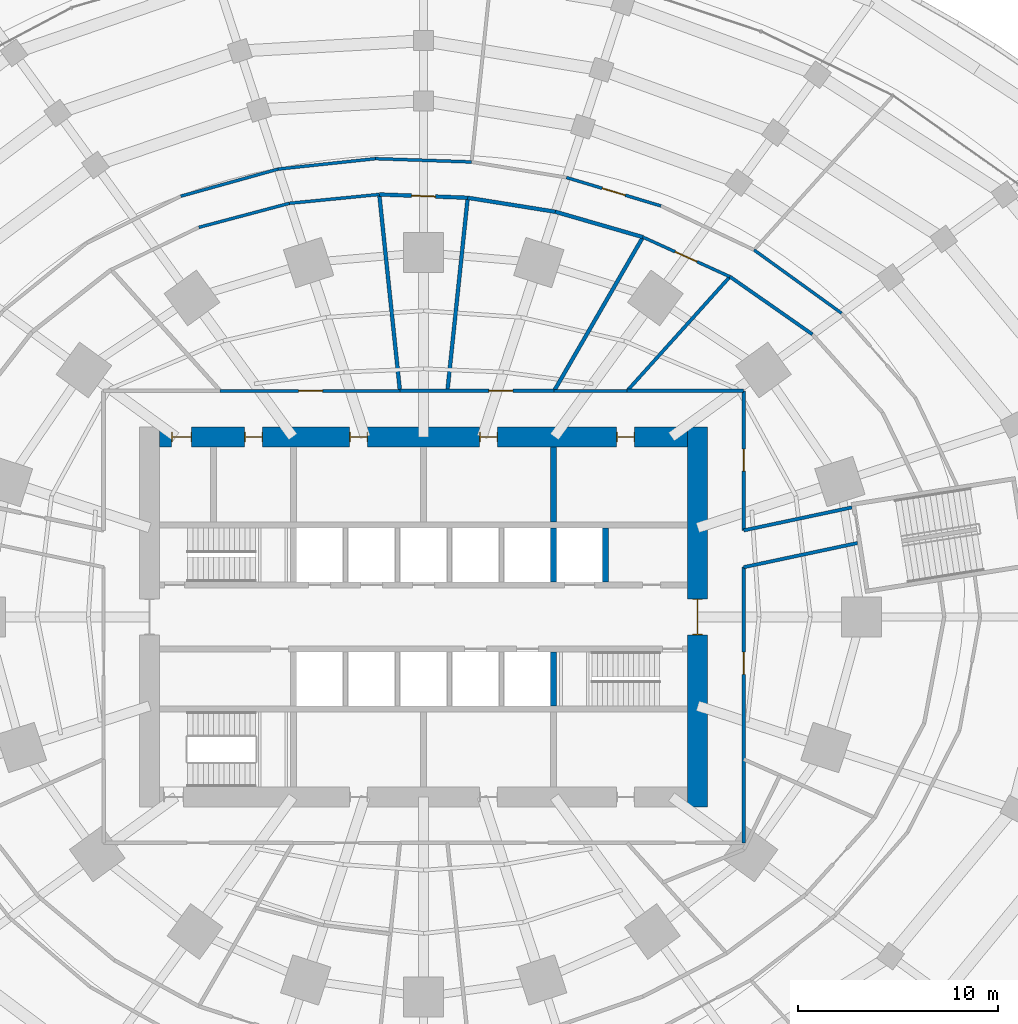
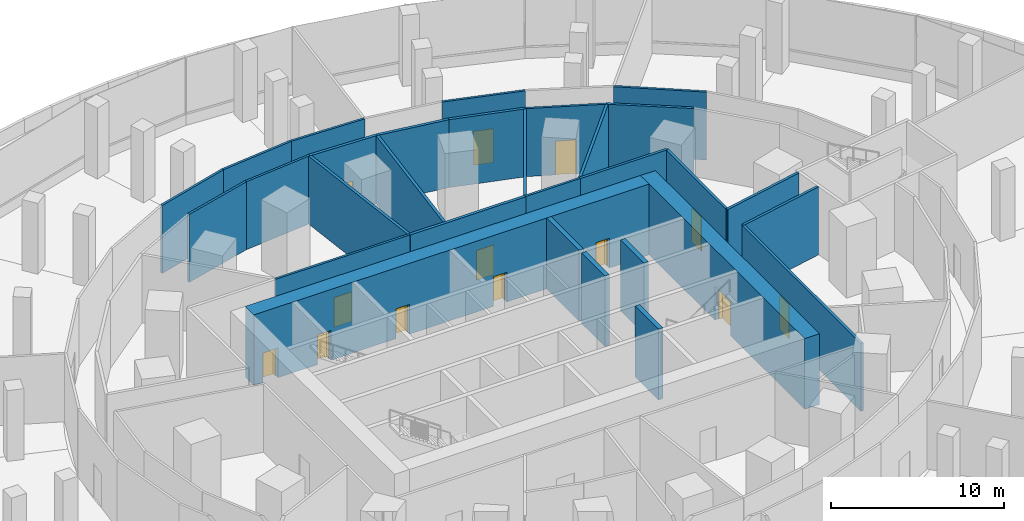
# One storey, part 25 of 31: 30 walls, 13 doors, 13 openings.
"""IFC4 building model written with IfcOpenShell, lengths in metres."""

from ifc_helpers import new_model, si_unit, direction, frame, frame_2d, origin, place, context, subcontext, project, spatial, rectangle, extrude, material, layer, layer_set, type_object, element, fill, save


model = new_model("IFC4")

# Units and contexts
model_context = context("Model", 3, precision=1e-05, world=origin(), true_north=direction((0.0, 1.0)))
body_context = subcontext(model_context, "Body", "Model", "MODEL_VIEW")
ifc_project = project(units=[si_unit("LENGTHUNIT", "METRE"), si_unit("AREAUNIT", "SQUARE_METRE"), si_unit("VOLUMEUNIT", "CUBIC_METRE"), si_unit("PLANEANGLEUNIT", "RADIAN"), si_unit("MASSUNIT", "GRAM", prefix="KILO")], contexts=[model_context])

# Site, building, storey
site_placement = place(None, origin())
site = spatial("IfcSite", under=ifc_project, at=site_placement, CompositionType="ELEMENT")
building_placement = place(site_placement, origin())
building = spatial("IfcBuilding", under=site, at=building_placement, Name="Marramba Exchange Tower", CompositionType="ELEMENT")
storey_placement = place(building_placement, frame((0.0, 0.0, 5.60009765625)))
storey = spatial("IfcBuildingStorey", under=building, at=storey_placement, Name="L01", CompositionType="ELEMENT", Elevation=5.60009765625)

# Wall, opening, door
ifc_material_1 = material(Name="Plasterboard on staggered double steel studs, acoustic insulation", Category="steel")
ifc_layer_1 = layer(ifc_material_1, 0.169921875)
ifc_layer_set_1 = layer_set([ifc_layer_1], Name="Acoustic partition 170")
wall_type_1 = type_object("IfcWallType", Name="Acoustic partition 170", PredefinedType="PARTITIONING", material=ifc_layer_set_1)
wall_1_placement = place(storey_placement, frame((16.0, -11.300048828125, 0.0), z_axis=(0.0, 0.0, 1.0), x_axis=(0.0, 1.0, 0.0)))
wall_1 = element("IfcWall", 1, at=wall_1_placement, inside=storey, type_object=wall_type_1, Name="Acoustic partition L01 48", PredefinedType="PARTITIONING", context=body_context, shape_type="SweptSolid", body=[
    extrude(rectangle(XDim=13.78076171875, YDim=0.169921875, at=frame_2d((6.890380859375, 0.0))), origin(), (0.0, 0.0, 1.0), 4.7998046875),
])
opening_1_placement = place(wall_1_placement, frame((8.428955078125, 0.0, 0.0)))
opening_1 = element("IfcOpeningElement", 2, at=opening_1_placement, cuts=wall_1, Name="Opening D15", PredefinedType="OPENING", context=body_context, shape_type="SweptSolid", body=[
    extrude(rectangle(XDim=1.10009765625, YDim=2.39990234375, at=frame_2d((0.550048828125, 1.199951171875))), frame((0.0, 0.094970703125, 0.0), z_axis=(0.0, -1.0, 0.0), x_axis=(1.0, 0.0, 0.0)), (0.0, 0.0, 1.0), 0.18994140625),
])
ifc_material_2 = material(Name="Timber door", Category="wood")
door_type_1 = type_object("IfcDoorType", Name="Glazed meeting room door 1100x2400", OperationType="SINGLE_SWING_LEFT", PredefinedType="DOOR", material=ifc_material_2)
door_1_placement = place(opening_1_placement, origin())
door_1 = element("IfcDoor", 3, at=door_1_placement, inside=storey, type_object=door_type_1, Name="D15 Meeting Room 4 L01", OperationType="SINGLE_SWING_LEFT", OverallHeight=2.39990234375, OverallWidth=1.10009765625, PredefinedType="DOOR", context=body_context, shape_type="SweptSolid", body=[
    extrude(rectangle(XDim=1.10009765625, YDim=2.39990234375, at=frame_2d((0.550048828125, 1.199951171875))), frame((0.0, 0.02490234375, 0.0), z_axis=(0.0, -1.0, 0.0), x_axis=(1.0, 0.0, 0.0)), (0.0, 0.0, 1.0), 0.050048828125),
])
fill(opening_1, door_1)

# Walls
wall_2_placement = place(storey_placement, frame((16.0, 2.480712890625, 0.0), z_axis=(0.0, 0.0, 1.0), x_axis=(0.978144448143, 0.207926522038, 0.0)))
element("IfcWall", 4, at=wall_2_placement, inside=storey, type_object=wall_type_1, Name="Acoustic partition L01 53", PredefinedType="PARTITIONING", context=body_context, shape_type="SweptSolid", body=[
    extrude(rectangle(XDim=5.81689453125, YDim=0.169921875, at=frame_2d((2.908447265625, 0.0))), origin(), (0.0, 0.0, 1.0), 4.7998046875),
])
wall_3_placement = place(storey_placement, frame((21.40771484375, 5.470458984375, 0.0), z_axis=(0.0, 0.0, 1.0), x_axis=(-0.978148748832, -0.207906289368, 0.0)))
element("IfcWall", 5, at=wall_3_placement, inside=storey, type_object=wall_type_1, Name="Acoustic partition L01 55", PredefinedType="PARTITIONING", context=body_context, shape_type="SweptSolid", body=[
    extrude(rectangle(XDim=5.528564453125, YDim=0.169921875, at=frame_2d((2.76416015625, 0.0))), origin(), (0.0, 0.0, 1.0), 4.7998046875),
])

# Wall, opening, door
wall_4_placement = place(storey_placement, frame((16.0, 4.321044921875, 0.0), z_axis=(0.0, 0.0, 1.0), x_axis=(0.0, 1.0, 0.0)))
wall_4 = element("IfcWall", 6, at=wall_4_placement, inside=storey, type_object=wall_type_1, Name="Acoustic partition L01 58", PredefinedType="PARTITIONING", context=body_context, shape_type="SweptSolid", body=[
    extrude(rectangle(XDim=6.97900390625, YDim=0.169921875, at=frame_2d((3.489501953125, 0.0))), origin(), (0.0, 0.0, 1.0), 4.7998046875),
])
opening_2_placement = place(wall_4_placement, frame((2.965087890625, 0.0, 0.0)))
opening_2 = element("IfcOpeningElement", 7, at=opening_2_placement, cuts=wall_4, Name="Opening D15", PredefinedType="OPENING", context=body_context, shape_type="SweptSolid", body=[
    extrude(rectangle(XDim=1.10009765625, YDim=2.39990234375, at=frame_2d((0.550048828125, 1.199951171875))), frame((0.0, 0.094970703125, 0.0), z_axis=(0.0, -1.0, 0.0), x_axis=(1.0, 0.0, 0.0)), (0.0, 0.0, 1.0), 0.18994140625),
])
door_2_placement = place(opening_2_placement, origin())
door_2 = element("IfcDoor", 8, at=door_2_placement, inside=storey, type_object=door_type_1, Name="D15 Meeting Room 1 L01", OperationType="SINGLE_SWING_RIGHT", OverallHeight=2.39990234375, OverallWidth=1.10009765625, PredefinedType="DOOR", context=body_context, shape_type="SweptSolid", body=[
    extrude(rectangle(XDim=1.10009765625, YDim=2.39990234375, at=frame_2d((0.550048828125, 1.199951171875))), frame((0.0, 0.02490234375, 0.0), z_axis=(0.0, -1.0, 0.0), x_axis=(1.0, 0.0, 0.0)), (0.0, 0.0, 1.0), 0.050048828125),
])
fill(opening_2, door_2)

# Walls
wall_5_placement = place(storey_placement, frame((16.0, 11.300048828125, 0.0), z_axis=(0.0, 0.0, 1.0), x_axis=(-1.0, 0.0, 0.0)))
element("IfcWall", 9, at=wall_5_placement, inside=storey, type_object=wall_type_1, Name="Acoustic partition L01 61", PredefinedType="PARTITIONING", context=body_context, shape_type="SweptSolid", body=[
    extrude(rectangle(XDim=5.825439453125, YDim=0.169921875, at=frame_2d((2.91259765625, 0.0))), origin(), (0.0, 0.0, 1.0), 4.7998046875),
])
wall_6_placement = place(storey_placement, frame((15.310546875, 17.004150390625, 0.0), z_axis=(0.0, 0.0, 1.0), x_axis=(0.819662413359, -0.572846862719, 0.0)))
element("IfcWall", 10, at=wall_6_placement, inside=storey, type_object=wall_type_1, Name="Acoustic partition L01 62", PredefinedType="PARTITIONING", context=body_context, shape_type="SweptSolid", body=[
    extrude(rectangle(XDim=5.032958984375, YDim=0.169921875, at=frame_2d((2.5166015625, 0.0))), origin(), (0.0, 0.0, 1.0), 4.7998046875),
])
wall_7_placement = place(storey_placement, frame((10.174560546875, 11.300048828125, 0.0), z_axis=(0.0, 0.0, 1.0), x_axis=(0.669129902119, 0.743145459577, 0.0)))
element("IfcWall", 11, at=wall_7_placement, inside=storey, type_object=wall_type_1, Name="Acoustic partition L01 65", PredefinedType="PARTITIONING", context=body_context, shape_type="SweptSolid", body=[
    extrude(rectangle(XDim=7.675537109375, YDim=0.169921875, at=frame_2d((3.837890625, 0.0))), origin(), (0.0, 0.0, 1.0), 4.7998046875),
])

# Wall, openings, doors
ifc_material_3 = material(Name="Concrete N50", Category="concrete")
ifc_layer_2 = layer(ifc_material_3, 1.0)
ifc_layer_set_2 = layer_set([ifc_layer_2], Name="Core wall 1000")
wall_type_2 = type_object("IfcWallType", Name="Core wall 1000", PredefinedType="SHEAR", material=ifc_layer_set_2)
wall_8_placement = place(storey_placement, frame((13.199951171875, 9.0, 0.0), z_axis=(0.0, 0.0, 1.0), x_axis=(-1.0, 0.0, 0.0)))
wall_8 = element("IfcWall", 12, at=wall_8_placement, inside=storey, type_object=wall_type_2, Name="Core wall N L01", PredefinedType="SHEAR", context=body_context, shape_type="SweptSolid", body=[
    extrude(rectangle(XDim=26.39990234375, YDim=1.0, at=frame_2d((13.199951171875, 0.0))), origin(), (0.0, 0.0, 1.0), 5.0),
])
opening_3_placement = place(wall_8_placement, frame((2.64990234375, 0.0, 0.0)))
opening_3 = element("IfcOpeningElement", 13, at=opening_3_placement, cuts=wall_8, Name="Opening D5", PredefinedType="OPENING", context=body_context, shape_type="SweptSolid", body=[
    extrude(rectangle(XDim=0.89990234375, YDim=2.10009765625, at=frame_2d((0.449951171875, 1.050048828125))), frame((0.0, 0.510009765625, 0.0), z_axis=(0.0, -1.0, 0.0), x_axis=(1.0, 0.0, 0.0)), (0.0, 0.0, 1.0), 1.02001953125),
])
opening_4_placement = place(wall_8_placement, frame((9.5, 0.0, 0.0)))
opening_4 = element("IfcOpeningElement", 14, at=opening_4_placement, cuts=wall_8, Name="Opening D3", PredefinedType="OPENING", context=body_context, shape_type="SweptSolid", body=[
    extrude(rectangle(XDim=0.89990234375, YDim=2.10009765625, at=frame_2d((0.449951171875, 1.050048828125))), frame((0.0, 0.510009765625, 0.0), z_axis=(0.0, -1.0, 0.0), x_axis=(1.0, 0.0, 0.0)), (0.0, 0.0, 1.0), 1.02001953125),
])
opening_5_placement = place(wall_8_placement, frame((16.0, 0.0, 0.0)))
opening_5 = element("IfcOpeningElement", 15, at=opening_5_placement, cuts=wall_8, Name="Opening D3", PredefinedType="OPENING", context=body_context, shape_type="SweptSolid", body=[
    extrude(rectangle(XDim=0.89990234375, YDim=2.10009765625, at=frame_2d((0.449951171875, 1.050048828125))), frame((0.0, 0.510009765625, 0.0), z_axis=(0.0, -1.0, 0.0), x_axis=(1.0, 0.0, 0.0)), (0.0, 0.0, 1.0), 1.02001953125),
])
opening_6_placement = place(wall_8_placement, frame((21.25, 0.0, 0.0)))
opening_6 = element("IfcOpeningElement", 16, at=opening_6_placement, cuts=wall_8, Name="Opening D5", PredefinedType="OPENING", context=body_context, shape_type="SweptSolid", body=[
    extrude(rectangle(XDim=0.89990234375, YDim=2.10009765625, at=frame_2d((0.449951171875, 1.050048828125))), frame((0.0, 0.510009765625, 0.0), z_axis=(0.0, -1.0, 0.0), x_axis=(1.0, 0.0, 0.0)), (0.0, 0.0, 1.0), 1.02001953125),
])
opening_7_placement = place(wall_8_placement, frame((24.800048828125, 0.0, 0.0)))
opening_7 = element("IfcOpeningElement", 17, at=opening_7_placement, cuts=wall_8, Name="Opening D4", PredefinedType="OPENING", context=body_context, shape_type="SweptSolid", body=[
    extrude(rectangle(XDim=1.0, YDim=2.10009765625, at=frame_2d((0.5, 1.050048828125))), frame((0.0, 0.510009765625, 0.0), z_axis=(0.0, -1.0, 0.0), x_axis=(1.0, 0.0, 0.0)), (0.0, 0.0, 1.0), 1.02001953125),
])
ifc_material_4 = material(Name="Steel-framed door", Category="steel")
door_type_2 = type_object("IfcDoorType", Name="Accessible toilet door 1000x2100", OperationType="SINGLE_SWING_LEFT", PredefinedType="DOOR", material=ifc_material_4)
door_3_placement = place(opening_7_placement, origin())
door_3 = element("IfcDoor", 18, at=door_3_placement, inside=storey, type_object=door_type_2, Name="D4 awc L01", OperationType="SINGLE_SWING_RIGHT", OverallHeight=2.10009765625, OverallWidth=1.0, PredefinedType="DOOR", context=body_context, shape_type="SweptSolid", body=[
    extrude(rectangle(XDim=0.919921875, YDim=2.06005859375, at=frame_2d((0.5, 1.030029296875))), frame((0.0, 0.02490234375, 0.0), z_axis=(0.0, -1.0, 0.0), x_axis=(1.0, 0.0, 0.0)), (0.0, 0.0, 1.0), 0.050048828125),
    extrude(rectangle(XDim=0.04, YDim=2.10009765625, at=frame_2d((0.02001953125, 1.050048828125))), frame((0.0, 0.25, 0.0), z_axis=(0.0, -1.0, 0.0), x_axis=(1.0, 0.0, 0.0)), (0.0, 0.0, 1.0), 0.5),
    extrude(rectangle(XDim=0.04, YDim=2.10009765625, at=frame_2d((0.97998046875, 1.050048828125))), frame((0.0, 0.25, 0.0), z_axis=(0.0, -1.0, 0.0), x_axis=(1.0, 0.0, 0.0)), (0.0, 0.0, 1.0), 0.5),
    extrude(rectangle(XDim=0.919921875, YDim=0.04, at=frame_2d((0.5, 2.080078125))), frame((0.0, 0.25, 0.0), z_axis=(0.0, -1.0, 0.0), x_axis=(1.0, 0.0, 0.0)), (0.0, 0.0, 1.0), 0.5),
])
fill(opening_7, door_3)
door_type_3 = type_object("IfcDoorType", Name="Service door 900x2100", OperationType="SINGLE_SWING_LEFT", PredefinedType="DOOR", material=ifc_material_4)
door_4_placement = place(opening_3_placement, origin())
door_4 = element("IfcDoor", 19, at=door_4_placement, inside=storey, type_object=door_type_3, Name="D5 comms L01", OperationType="SINGLE_SWING_LEFT", OverallHeight=2.10009765625, OverallWidth=0.89990234375, PredefinedType="DOOR", context=body_context, shape_type="SweptSolid", body=[
    extrude(rectangle(XDim=0.81982421875, YDim=2.06005859375, at=frame_2d((0.449951171875, 1.030029296875))), frame((0.0, 0.02490234375, 0.0), z_axis=(0.0, -1.0, 0.0), x_axis=(1.0, 0.0, 0.0)), (0.0, 0.0, 1.0), 0.050048828125),
    extrude(rectangle(XDim=0.04, YDim=2.10009765625, at=frame_2d((0.02001953125, 1.050048828125))), frame((0.0, 0.25, 0.0), z_axis=(0.0, -1.0, 0.0), x_axis=(1.0, 0.0, 0.0)), (0.0, 0.0, 1.0), 0.5),
    extrude(rectangle(XDim=0.04, YDim=2.10009765625, at=frame_2d((0.8798828125, 1.050048828125))), frame((0.0, 0.25, 0.0), z_axis=(0.0, -1.0, 0.0), x_axis=(1.0, 0.0, 0.0)), (0.0, 0.0, 1.0), 0.5),
    extrude(rectangle(XDim=0.81982421875, YDim=0.04, at=frame_2d((0.449951171875, 2.080078125))), frame((0.0, 0.25, 0.0), z_axis=(0.0, -1.0, 0.0), x_axis=(1.0, 0.0, 0.0)), (0.0, 0.0, 1.0), 0.5),
])
fill(opening_3, door_4)
door_5_placement = place(opening_6_placement, origin())
door_5 = element("IfcDoor", 20, at=door_5_placement, inside=storey, type_object=door_type_3, Name="D5 cleaner L01", OperationType="SINGLE_SWING_RIGHT", OverallHeight=2.10009765625, OverallWidth=0.89990234375, PredefinedType="DOOR", context=body_context, shape_type="SweptSolid", body=[
    extrude(rectangle(XDim=0.81982421875, YDim=2.06005859375, at=frame_2d((0.449951171875, 1.030029296875))), frame((0.0, 0.02490234375, 0.0), z_axis=(0.0, -1.0, 0.0), x_axis=(1.0, 0.0, 0.0)), (0.0, 0.0, 1.0), 0.050048828125),
    extrude(rectangle(XDim=0.04, YDim=2.10009765625, at=frame_2d((0.02001953125, 1.050048828125))), frame((0.0, 0.25, 0.0), z_axis=(0.0, -1.0, 0.0), x_axis=(1.0, 0.0, 0.0)), (0.0, 0.0, 1.0), 0.5),
    extrude(rectangle(XDim=0.04, YDim=2.10009765625, at=frame_2d((0.8798828125, 1.050048828125))), frame((0.0, 0.25, 0.0), z_axis=(0.0, -1.0, 0.0), x_axis=(1.0, 0.0, 0.0)), (0.0, 0.0, 1.0), 0.5),
    extrude(rectangle(XDim=0.81982421875, YDim=0.04, at=frame_2d((0.449951171875, 2.080078125))), frame((0.0, 0.25, 0.0), z_axis=(0.0, -1.0, 0.0), x_axis=(1.0, 0.0, 0.0)), (0.0, 0.0, 1.0), 0.5),
])
fill(opening_6, door_5)
door_type_4 = type_object("IfcDoorType", Name="Toilet door 900x2100", OperationType="SINGLE_SWING_LEFT", PredefinedType="DOOR", material=ifc_material_4)
door_6_placement = place(opening_4_placement, origin())
door_6 = element("IfcDoor", 21, at=door_6_placement, inside=storey, type_object=door_type_4, Name="D3 wc-f L01", OperationType="SINGLE_SWING_RIGHT", OverallHeight=2.10009765625, OverallWidth=0.89990234375, PredefinedType="DOOR", context=body_context, shape_type="SweptSolid", body=[
    extrude(rectangle(XDim=0.81982421875, YDim=2.06005859375, at=frame_2d((0.449951171875, 1.030029296875))), frame((0.0, 0.02490234375, 0.0), z_axis=(0.0, -1.0, 0.0), x_axis=(1.0, 0.0, 0.0)), (0.0, 0.0, 1.0), 0.050048828125),
    extrude(rectangle(XDim=0.04, YDim=2.10009765625, at=frame_2d((0.02001953125, 1.050048828125))), frame((0.0, 0.25, 0.0), z_axis=(0.0, -1.0, 0.0), x_axis=(1.0, 0.0, 0.0)), (0.0, 0.0, 1.0), 0.5),
    extrude(rectangle(XDim=0.04, YDim=2.10009765625, at=frame_2d((0.8798828125, 1.050048828125))), frame((0.0, 0.25, 0.0), z_axis=(0.0, -1.0, 0.0), x_axis=(1.0, 0.0, 0.0)), (0.0, 0.0, 1.0), 0.5),
    extrude(rectangle(XDim=0.81982421875, YDim=0.04, at=frame_2d((0.449951171875, 2.080078125))), frame((0.0, 0.25, 0.0), z_axis=(0.0, -1.0, 0.0), x_axis=(1.0, 0.0, 0.0)), (0.0, 0.0, 1.0), 0.5),
])
fill(opening_4, door_6)
door_7_placement = place(opening_5_placement, origin())
door_7 = element("IfcDoor", 22, at=door_7_placement, inside=storey, type_object=door_type_4, Name="D3 wc-m L01", OperationType="SINGLE_SWING_RIGHT", OverallHeight=2.10009765625, OverallWidth=0.89990234375, PredefinedType="DOOR", context=body_context, shape_type="SweptSolid", body=[
    extrude(rectangle(XDim=0.81982421875, YDim=2.06005859375, at=frame_2d((0.449951171875, 1.030029296875))), frame((0.0, 0.02490234375, 0.0), z_axis=(0.0, -1.0, 0.0), x_axis=(1.0, 0.0, 0.0)), (0.0, 0.0, 1.0), 0.050048828125),
    extrude(rectangle(XDim=0.04, YDim=2.10009765625, at=frame_2d((0.02001953125, 1.050048828125))), frame((0.0, 0.25, 0.0), z_axis=(0.0, -1.0, 0.0), x_axis=(1.0, 0.0, 0.0)), (0.0, 0.0, 1.0), 0.5),
    extrude(rectangle(XDim=0.04, YDim=2.10009765625, at=frame_2d((0.8798828125, 1.050048828125))), frame((0.0, 0.25, 0.0), z_axis=(0.0, -1.0, 0.0), x_axis=(1.0, 0.0, 0.0)), (0.0, 0.0, 1.0), 0.5),
    extrude(rectangle(XDim=0.81982421875, YDim=0.04, at=frame_2d((0.449951171875, 2.080078125))), frame((0.0, 0.25, 0.0), z_axis=(0.0, -1.0, 0.0), x_axis=(1.0, 0.0, 0.0)), (0.0, 0.0, 1.0), 0.5),
])
fill(opening_5, door_7)

# Wall, opening, door
wall_9_placement = place(storey_placement, frame((13.699951171875, -9.5, 0.0), z_axis=(0.0, 0.0, 1.0), x_axis=(0.0, 1.0, 0.0)))
wall_9 = element("IfcWall", 23, at=wall_9_placement, inside=storey, type_object=wall_type_2, Name="Core wall E L01", PredefinedType="SHEAR", context=body_context, shape_type="SweptSolid", body=[
    extrude(rectangle(XDim=19.0, YDim=1.0, at=frame_2d((9.5, 0.0))), origin(), (0.0, 0.0, 1.0), 5.0),
])
opening_8_placement = place(wall_9_placement, frame((8.60009765625, 0.0, 0.0)))
opening_8 = element("IfcOpeningElement", 24, at=opening_8_placement, cuts=wall_9, Name="Opening D1", PredefinedType="OPENING", context=body_context, shape_type="SweptSolid", body=[
    extrude(rectangle(XDim=1.800048828125, YDim=2.39990234375, at=frame_2d((0.89990234375, 1.199951171875))), frame((0.0, 0.510009765625, 0.0), z_axis=(0.0, -1.0, 0.0), x_axis=(1.0, 0.0, 0.0)), (0.0, 0.0, 1.0), 1.02001953125),
])
door_type_5 = type_object("IfcDoorType", Name="Lobby exit door 1800x2400", OperationType="DOUBLE_DOOR_SINGLE_SWING", PredefinedType="DOOR", material=ifc_material_4)
door_8_placement = place(opening_8_placement, origin())
door_8 = element("IfcDoor", 25, at=door_8_placement, inside=storey, type_object=door_type_5, Name="D1 lobby exit east L01", OperationType="DOUBLE_DOOR_SINGLE_SWING", OverallHeight=2.39990234375, OverallWidth=1.800048828125, PredefinedType="DOOR", context=body_context, shape_type="SweptSolid", body=[
    extrude(rectangle(XDim=1.719970703125, YDim=2.35986328125, at=frame_2d((0.89990234375, 1.179931640625))), frame((0.0, 0.02490234375, 0.0), z_axis=(0.0, -1.0, 0.0), x_axis=(1.0, 0.0, 0.0)), (0.0, 0.0, 1.0), 0.050048828125),
    extrude(rectangle(XDim=0.04, YDim=2.39990234375, at=frame_2d((0.02001953125, 1.199951171875))), frame((0.0, 0.25, 0.0), z_axis=(0.0, -1.0, 0.0), x_axis=(1.0, 0.0, 0.0)), (0.0, 0.0, 1.0), 0.5),
    extrude(rectangle(XDim=0.04, YDim=2.39990234375, at=frame_2d((1.780029296875, 1.199951171875))), frame((0.0, 0.25, 0.0), z_axis=(0.0, -1.0, 0.0), x_axis=(1.0, 0.0, 0.0)), (0.0, 0.0, 1.0), 0.5),
    extrude(rectangle(XDim=1.719970703125, YDim=0.04, at=frame_2d((0.89990234375, 2.3798828125))), frame((0.0, 0.25, 0.0), z_axis=(0.0, -1.0, 0.0), x_axis=(1.0, 0.0, 0.0)), (0.0, 0.0, 1.0), 0.5),
])
fill(opening_8, door_8)

# Walls
ifc_layer_3 = layer(ifc_material_3, 0.300048828125)
ifc_layer_set_3 = layer_set([ifc_layer_3], Name="Core wall 300")
wall_type_3 = type_object("IfcWallType", Name="Core wall 300", PredefinedType="SHEAR", material=ifc_layer_set_3)
wall_10_placement = place(storey_placement, frame((6.5, 1.75, 0.0), z_axis=(0.0, 0.0, 1.0), x_axis=(0.0, 1.0, 0.0)))
element("IfcWall", 26, at=wall_10_placement, inside=storey, type_object=wall_type_3, Name="Core wall X1Na L01", PredefinedType="SHEAR", context=body_context, shape_type="SweptSolid", body=[
    extrude(rectangle(XDim=2.699951171875, YDim=0.300048828125, at=frame_2d((1.35009765625, 0.0))), origin(), (0.0, 0.0, 1.0), 5.0),
])
wall_11_placement = place(storey_placement, frame((6.5, 4.75, 0.0), z_axis=(0.0, 0.0, 1.0), x_axis=(0.0, 1.0, 0.0)))
element("IfcWall", 27, at=wall_11_placement, inside=storey, type_object=wall_type_3, Name="Core wall X1Nb L01", PredefinedType="SHEAR", context=body_context, shape_type="SweptSolid", body=[
    extrude(rectangle(XDim=3.75, YDim=0.300048828125, at=frame_2d((1.875, 0.0))), origin(), (0.0, 0.0, 1.0), 5.0),
])
for number, where, z_axis, x_axis, name in (
    (28, (6.5, -1.75, 0.0), (0.0, 0.0, 1.0), (0.0, -1.0, 0.0), "Core wall X1Sa L01"),
    (29, (9.10009765625, 1.75, 0.0), (0.0, 0.0, 1.0), (0.0, 1.0, 0.0), "Core wall ED L01"),
):
    element("IfcWall", number, at=place(storey_placement, frame(where, z_axis=z_axis, x_axis=x_axis)), inside=storey, type_object=wall_type_3, Name=name, PredefinedType="SHEAR", context=body_context, shape_type="SweptSolid", body=[
        extrude(rectangle(XDim=2.699951171875, YDim=0.300048828125, at=frame_2d((1.35009765625, 0.0))), origin(), (0.0, 0.0, 1.0), 5.0),
    ])
ifc_material_5 = material(Name="Core-filled concrete blockwork, rendered", Category="masonry")
ifc_layer_4 = layer(ifc_material_5, 0.18994140625)
ifc_layer_set_4 = layer_set([ifc_layer_4], Name="Equipment room wall 190")
wall_type_4 = type_object("IfcWallType", Name="Equipment room wall 190", PredefinedType="SOLIDWALL", material=ifc_layer_set_4)
wall_12_placement = place(storey_placement, frame((6.524169921875, 11.300048828125, 0.0), z_axis=(0.0, 0.0, 1.0), x_axis=(0.499995604398, 0.866027941571, 0.0)))
element("IfcWall", 30, at=wall_12_placement, inside=storey, type_object=wall_type_4, Name="Equipment room wall L01 69", PredefinedType="SOLIDWALL", context=body_context, shape_type="SweptSolid", body=[
    extrude(rectangle(XDim=8.87158203125, YDim=0.18994140625, at=frame_2d((4.435791015625, 0.0))), origin(), (0.0, 0.0, 1.0), 4.7998046875),
])
wall_13_placement = place(storey_placement, frame((6.57958984375, 20.250244140625, 0.0), z_axis=(0.0, 0.0, 1.0), x_axis=(0.960617684211, -0.277873469014, 0.0)))
element("IfcWall", 31, at=wall_13_placement, inside=storey, type_object=wall_type_4, Name="Equipment room wall L01 70", PredefinedType="SOLIDWALL", context=body_context, shape_type="SweptSolid", body=[
    extrude(rectangle(XDim=4.56005859375, YDim=0.18994140625, at=frame_2d((2.280029296875, 0.0))), origin(), (0.0, 0.0, 1.0), 4.7998046875),
])

# Wall, opening, door
wall_14_placement = place(storey_placement, frame((6.524169921875, 11.300048828125, 0.0), z_axis=(0.0, 0.0, 1.0), x_axis=(-1.0, 0.0, 0.0)))
wall_14 = element("IfcWall", 32, at=wall_14_placement, inside=storey, type_object=wall_type_4, Name="Equipment room wall L01 72", PredefinedType="SOLIDWALL", context=body_context, shape_type="SweptSolid", body=[
    extrude(rectangle(XDim=7.7119140625, YDim=0.18994140625, at=frame_2d((3.85595703125, 0.0))), origin(), (0.0, 0.0, 1.0), 4.7998046875),
])
opening_9_placement = place(wall_14_placement, frame((2.068115234375, 0.0, 0.0)))
opening_9 = element("IfcOpeningElement", 33, at=opening_9_placement, cuts=wall_14, Name="Opening D16", PredefinedType="OPENING", context=body_context, shape_type="SweptSolid", body=[
    extrude(rectangle(XDim=1.199951171875, YDim=2.10009765625, at=frame_2d((0.60009765625, 1.050048828125))), frame((0.0, 0.10498046875, 0.0), z_axis=(0.0, -1.0, 0.0), x_axis=(1.0, 0.0, 0.0)), (0.0, 0.0, 1.0), 0.2099609375),
])
door_type_6 = type_object("IfcDoorType", Name="Equipment room door 1200x2100", OperationType="SINGLE_SWING_LEFT", PredefinedType="DOOR", material=ifc_material_4)
door_9_placement = place(opening_9_placement, origin())
door_9 = element("IfcDoor", 34, at=door_9_placement, inside=storey, type_object=door_type_6, Name="D16 UPS Room L01", OperationType="SINGLE_SWING_LEFT", OverallHeight=2.10009765625, OverallWidth=1.199951171875, PredefinedType="DOOR", context=body_context, shape_type="SweptSolid", body=[
    extrude(rectangle(XDim=1.199951171875, YDim=2.10009765625, at=frame_2d((0.60009765625, 1.050048828125))), frame((0.0, 0.02490234375, 0.0), z_axis=(0.0, -1.0, 0.0), x_axis=(1.0, 0.0, 0.0)), (0.0, 0.0, 1.0), 0.050048828125),
])
fill(opening_9, door_9)

# Walls
wall_15_placement = place(storey_placement, frame((2.201904296875, 20.94970703125, 0.0), z_axis=(0.0, 0.0, 1.0), x_axis=(0.987474630924, -0.157777860554, 0.0)))
element("IfcWall", 35, at=wall_15_placement, inside=storey, type_object=wall_type_4, Name="Equipment room wall L01 73", PredefinedType="SOLIDWALL", context=body_context, shape_type="SweptSolid", body=[
    extrude(rectangle(XDim=4.43310546875, YDim=0.18994140625, at=frame_2d((2.216552734375, 0.0))), origin(), (0.0, 0.0, 1.0), 4.7998046875),
])
wall_16_placement = place(storey_placement, frame((1.187744140625, 11.300048828125, 0.0), z_axis=(0.0, 0.0, 1.0), x_axis=(0.104522368483, 0.994522535937, 0.0)))
element("IfcWall", 36, at=wall_16_placement, inside=storey, type_object=wall_type_4, Name="Equipment room wall L01 75", PredefinedType="SOLIDWALL", context=body_context, shape_type="SweptSolid", body=[
    extrude(rectangle(XDim=9.702880859375, YDim=0.18994140625, at=frame_2d((4.8515625, 0.0))), origin(), (0.0, 0.0, 1.0), 4.7998046875),
])

# Wall, opening, door
wall_17_placement = place(storey_placement, frame((-2.219482421875, 21.115966796875, 0.0), z_axis=(0.0, 0.0, 1.0), x_axis=(0.999293736035, -0.037576975938, 0.0)))
wall_17 = element("IfcWall", 37, at=wall_17_placement, inside=storey, type_object=wall_type_4, Name="Equipment room wall L01 78", PredefinedType="SOLIDWALL", context=body_context, shape_type="SweptSolid", body=[
    extrude(rectangle(XDim=4.424560546875, YDim=0.18994140625, at=frame_2d((2.21240234375, 0.0))), origin(), (0.0, 0.0, 1.0), 4.7998046875),
])
opening_10_placement = place(wall_17_placement, frame((1.612060546875, 0.0, 0.0)))
opening_10 = element("IfcOpeningElement", 38, at=opening_10_placement, cuts=wall_17, Name="Opening D16", PredefinedType="OPENING", context=body_context, shape_type="SweptSolid", body=[
    extrude(rectangle(XDim=1.199951171875, YDim=2.10009765625, at=frame_2d((0.60009765625, 1.050048828125))), frame((0.0, 0.10498046875, 0.0), z_axis=(0.0, -1.0, 0.0), x_axis=(1.0, 0.0, 0.0)), (0.0, 0.0, 1.0), 0.2099609375),
])
door_10_placement = place(opening_10_placement, frame((1.199951171875, 0.0, 0.0), z_axis=(0.0, 0.0, 1.0), x_axis=(-1.0, 0.0, 0.0)))
door_10 = element("IfcDoor", 39, at=door_10_placement, inside=storey, type_object=door_type_6, Name="D16 Battery Room L01", OperationType="SINGLE_SWING_RIGHT", OverallHeight=2.10009765625, OverallWidth=1.199951171875, PredefinedType="DOOR", context=body_context, shape_type="SweptSolid", body=[
    extrude(rectangle(XDim=1.199951171875, YDim=2.10009765625, at=frame_2d((0.599853515625, 1.050048828125))), frame((0.0, 0.025146484375, 0.0), z_axis=(0.0, -1.0, 0.0), x_axis=(1.0, 0.0, 0.0)), (0.0, 0.0, 1.0), 0.050048828125),
])
fill(opening_10, door_10)

# Walls
wall_18_placement = place(storey_placement, frame((-1.187744140625, 11.300048828125, 0.0), z_axis=(0.0, 0.0, 1.0), x_axis=(-0.10453284543, 0.994521434775, 0.0)))
element("IfcWall", 40, at=wall_18_placement, inside=storey, type_object=wall_type_4, Name="Equipment room wall L01 79", PredefinedType="SOLIDWALL", context=body_context, shape_type="SweptSolid", body=[
    extrude(rectangle(XDim=9.869873046875, YDim=0.18994140625, at=frame_2d((4.93505859375, 0.0))), origin(), (0.0, 0.0, 1.0), 4.7998046875),
])
ifc_material_6 = material(Name="Fire-rated plasterboard on steel studs, acoustic insulation", Category="steel")
ifc_layer_5 = layer(ifc_material_6, 0.14990234375)
ifc_layer_set_5 = layer_set([ifc_layer_5], Name="Tenancy wall 150")
wall_type_5 = type_object("IfcWallType", Name="Tenancy wall 150", PredefinedType="PARTITIONING", material=ifc_layer_set_5)
wall_19_placement = place(storey_placement, frame((20.89208984375, 15.178955078125, 0.0), z_axis=(0.0, 0.0, 1.0), x_axis=(-0.810528990045, 0.585698519971, 0.0)))
element("IfcWall", 41, at=wall_19_placement, inside=storey, type_object=wall_type_5, Name="Tenancy wall L01 63", PredefinedType="PARTITIONING", context=body_context, shape_type="SweptSolid", body=[
    extrude(rectangle(XDim=5.400146484375, YDim=0.14990234375, at=frame_2d((2.7001953125, 0.0))), origin(), (0.0, 0.0, 1.0), 4.7998046875),
])
wall_20_placement = place(storey_placement, frame((10.174560546875, 11.300048828125, 0.0), z_axis=(0.0, 0.0, 1.0), x_axis=(-1.0, 0.0, 0.0)))
element("IfcWall", 42, at=wall_20_placement, inside=storey, type_object=wall_type_5, Name="Tenancy wall L01 66", PredefinedType="PARTITIONING", context=body_context, shape_type="SweptSolid", body=[
    extrude(rectangle(XDim=3.650390625, YDim=0.14990234375, at=frame_2d((1.8251953125, 0.0))), origin(), (0.0, 0.0, 1.0), 4.7998046875),
])

# Wall, opening, door
wall_21_placement = place(storey_placement, frame((10.9599609375, 18.983154296875, 0.0), z_axis=(0.0, 0.0, 1.0), x_axis=(0.91025098655, -0.414056930246, 0.0)))
wall_21 = element("IfcWall", 43, at=wall_21_placement, inside=storey, type_object=wall_type_5, Name="Tenancy wall L01 67", PredefinedType="PARTITIONING", context=body_context, shape_type="SweptSolid", body=[
    extrude(rectangle(XDim=4.779541015625, YDim=0.14990234375, at=frame_2d((2.3896484375, 0.0))), origin(), (0.0, 0.0, 1.0), 4.7998046875),
])
opening_11_placement = place(wall_21_placement, frame((1.764892578125, 0.0, 0.0)))
opening_11 = element("IfcOpeningElement", 44, at=opening_11_placement, cuts=wall_21, Name="Opening D13", PredefinedType="OPENING", context=body_context, shape_type="SweptSolid", body=[
    extrude(rectangle(XDim=1.199951171875, YDim=2.39990234375, at=frame_2d((0.60009765625, 1.199951171875))), frame((0.0, 0.0849609375, 0.0), z_axis=(0.0, -1.0, 0.0), x_axis=(1.0, 0.0, 0.0)), (0.0, 0.0, 1.0), 0.169921875),
])
door_type_7 = type_object("IfcDoorType", Name="Tenancy entry door 1200x2400", OperationType="SINGLE_SWING_LEFT", PredefinedType="DOOR", material=ifc_material_4)
door_11_placement = place(opening_11_placement, frame((1.199951171875, 0.0, 0.0), z_axis=(0.0, 0.0, 1.0), x_axis=(-1.0, 0.0, 0.0)))
door_11 = element("IfcDoor", 45, at=door_11_placement, inside=storey, type_object=door_type_7, Name="D13 Pantry L01", OperationType="SINGLE_SWING_LEFT", OverallHeight=2.39990234375, OverallWidth=1.199951171875, PredefinedType="DOOR", context=body_context, shape_type="SweptSolid", body=[
    extrude(rectangle(XDim=1.199951171875, YDim=2.39990234375, at=frame_2d((0.599853515625, 1.199951171875))), frame((0.0, 0.025146484375, 0.0), z_axis=(0.0, -1.0, 0.0), x_axis=(1.0, 0.0, 0.0)), (0.0, 0.0, 1.0), 0.050048828125),
])
fill(opening_11, door_11)

wall_22_placement = place(storey_placement, frame((11.85986328125, 20.5419921875, 0.0), z_axis=(0.0, 0.0, 1.0), x_axis=(-0.957658569451, 0.287906346504, 0.0)))
wall_22 = element("IfcWall", 46, at=wall_22_placement, inside=storey, type_object=wall_type_5, Name="Tenancy wall L01 71", PredefinedType="PARTITIONING", context=body_context, shape_type="SweptSolid", body=[
    extrude(rectangle(XDim=4.9326171875, YDim=0.14990234375, at=frame_2d((2.46630859375, 0.0))), origin(), (0.0, 0.0, 1.0), 4.7998046875),
])
opening_12_placement = place(wall_22_placement, frame((1.865966796875, 0.0, 0.0)))
opening_12 = element("IfcOpeningElement", 47, at=opening_12_placement, cuts=wall_22, Name="Opening D13", PredefinedType="OPENING", context=body_context, shape_type="SweptSolid", body=[
    extrude(rectangle(XDim=1.199951171875, YDim=2.39990234375, at=frame_2d((0.60009765625, 1.199951171875))), frame((0.0, 0.0849609375, 0.0), z_axis=(0.0, -1.0, 0.0), x_axis=(1.0, 0.0, 0.0)), (0.0, 0.0, 1.0), 0.169921875),
])
door_12_placement = place(opening_12_placement, origin())
door_12 = element("IfcDoor", 48, at=door_12_placement, inside=storey, type_object=door_type_7, Name="D13 Network Engineering Office L01", OperationType="SINGLE_SWING_LEFT", OverallHeight=2.39990234375, OverallWidth=1.199951171875, PredefinedType="DOOR", context=body_context, shape_type="SweptSolid", body=[
    extrude(rectangle(XDim=1.199951171875, YDim=2.39990234375, at=frame_2d((0.60009765625, 1.199951171875))), frame((0.0, 0.02490234375, 0.0), z_axis=(0.0, -1.0, 0.0), x_axis=(1.0, 0.0, 0.0)), (0.0, 0.0, 1.0), 0.050048828125),
])
fill(opening_12, door_12)

# Walls
wall_23_placement = place(storey_placement, frame((2.39013671875, 22.739990234375, 0.0), z_axis=(0.0, 0.0, 1.0), x_axis=(-0.999401824383, 0.034583137783, 0.0)))
element("IfcWall", 49, at=wall_23_placement, inside=storey, type_object=wall_type_5, Name="Tenancy wall L01 77", PredefinedType="PARTITIONING", context=body_context, shape_type="SweptSolid", body=[
    extrude(rectangle(XDim=4.800537109375, YDim=0.14990234375, at=frame_2d((2.400390625, 0.0))), origin(), (0.0, 0.0, 1.0), 4.7998046875),
])
wall_24_placement = place(storey_placement, frame((-2.407470703125, 22.906005859375, 0.0), z_axis=(0.0, 0.0, 1.0), x_axis=(-0.994294611229, -0.106668768067, 0.0)))
element("IfcWall", 50, at=wall_24_placement, inside=storey, type_object=wall_type_5, Name="Tenancy wall L01 80", PredefinedType="PARTITIONING", context=body_context, shape_type="SweptSolid", body=[
    extrude(rectangle(XDim=4.893310546875, YDim=0.14990234375, at=frame_2d((2.44677734375, 0.0))), origin(), (0.0, 0.0, 1.0), 4.7998046875),
])
wall_25_placement = place(storey_placement, frame((-6.716796875, 20.672119140625, 0.0), z_axis=(0.0, 0.0, 1.0), x_axis=(0.995165262559, 0.09821456204, 0.0)))
element("IfcWall", 51, at=wall_25_placement, inside=storey, type_object=wall_type_5, Name="Tenancy wall L01 81", PredefinedType="PARTITIONING", context=body_context, shape_type="SweptSolid", body=[
    extrude(rectangle(XDim=4.51904296875, YDim=0.14990234375, at=frame_2d((2.259521484375, 0.0))), origin(), (0.0, 0.0, 1.0), 4.7998046875),
])
wall_26_placement = place(storey_placement, frame((-7.27294921875, 22.384033203125, 0.0), z_axis=(0.0, 0.0, 1.0), x_axis=(-0.963366864015, -0.26818703421, 0.0)))
element("IfcWall", 52, at=wall_26_placement, inside=storey, type_object=wall_type_5, Name="Tenancy wall L01 82", PredefinedType="PARTITIONING", context=body_context, shape_type="SweptSolid", body=[
    extrude(rectangle(XDim=5.05322265625, YDim=0.14990234375, at=frame_2d((2.526611328125, 0.0))), origin(), (0.0, 0.0, 1.0), 4.7998046875),
])
wall_27_placement = place(storey_placement, frame((-11.240966796875, 19.469970703125, 0.0), z_axis=(0.0, 0.0, 1.0), x_axis=(0.966463084347, 0.256805581314, 0.0)))
element("IfcWall", 53, at=wall_27_placement, inside=storey, type_object=wall_type_5, Name="Tenancy wall L01 83", PredefinedType="PARTITIONING", context=body_context, shape_type="SweptSolid", body=[
    extrude(rectangle(XDim=4.68115234375, YDim=0.14990234375, at=frame_2d((2.340576171875, 0.0))), origin(), (0.0, 0.0, 1.0), 4.7998046875),
])

# Wall, opening, door
wall_28_placement = place(storey_placement, frame((-1.187744140625, 11.300048828125, 0.0), z_axis=(0.0, 0.0, 1.0), x_axis=(-1.0, 0.0, 0.0)))
wall_28 = element("IfcWall", 54, at=wall_28_placement, inside=storey, type_object=wall_type_5, Name="Tenancy wall L01 84", PredefinedType="PARTITIONING", context=body_context, shape_type="SweptSolid", body=[
    extrude(rectangle(XDim=8.98681640625, YDim=0.14990234375, at=frame_2d((4.493408203125, 0.0))), origin(), (0.0, 0.0, 1.0), 4.7998046875),
])
opening_13_placement = place(wall_28_placement, frame((3.867919921875, 0.0, 0.0)))
opening_13 = element("IfcOpeningElement", 55, at=opening_13_placement, cuts=wall_28, Name="Opening D16", PredefinedType="OPENING", context=body_context, shape_type="SweptSolid", body=[
    extrude(rectangle(XDim=1.199951171875, YDim=2.10009765625, at=frame_2d((0.60009765625, 1.050048828125))), frame((0.0, 0.0849609375, 0.0), z_axis=(0.0, -1.0, 0.0), x_axis=(1.0, 0.0, 0.0)), (0.0, 0.0, 1.0), 0.169921875),
])
door_13_placement = place(opening_13_placement, origin())
door_13 = element("IfcDoor", 56, at=door_13_placement, inside=storey, type_object=door_type_6, Name="D16 CRAC Plant Room L01", OperationType="SINGLE_SWING_RIGHT", OverallHeight=2.10009765625, OverallWidth=1.199951171875, PredefinedType="DOOR", context=body_context, shape_type="SweptSolid", body=[
    extrude(rectangle(XDim=1.199951171875, YDim=2.10009765625, at=frame_2d((0.60009765625, 1.050048828125))), frame((0.0, 0.02490234375, 0.0), z_axis=(0.0, -1.0, 0.0), x_axis=(1.0, 0.0, 0.0)), (0.0, 0.0, 1.0), 0.050048828125),
])
fill(opening_13, door_13)

save(model, "model.ifc")
